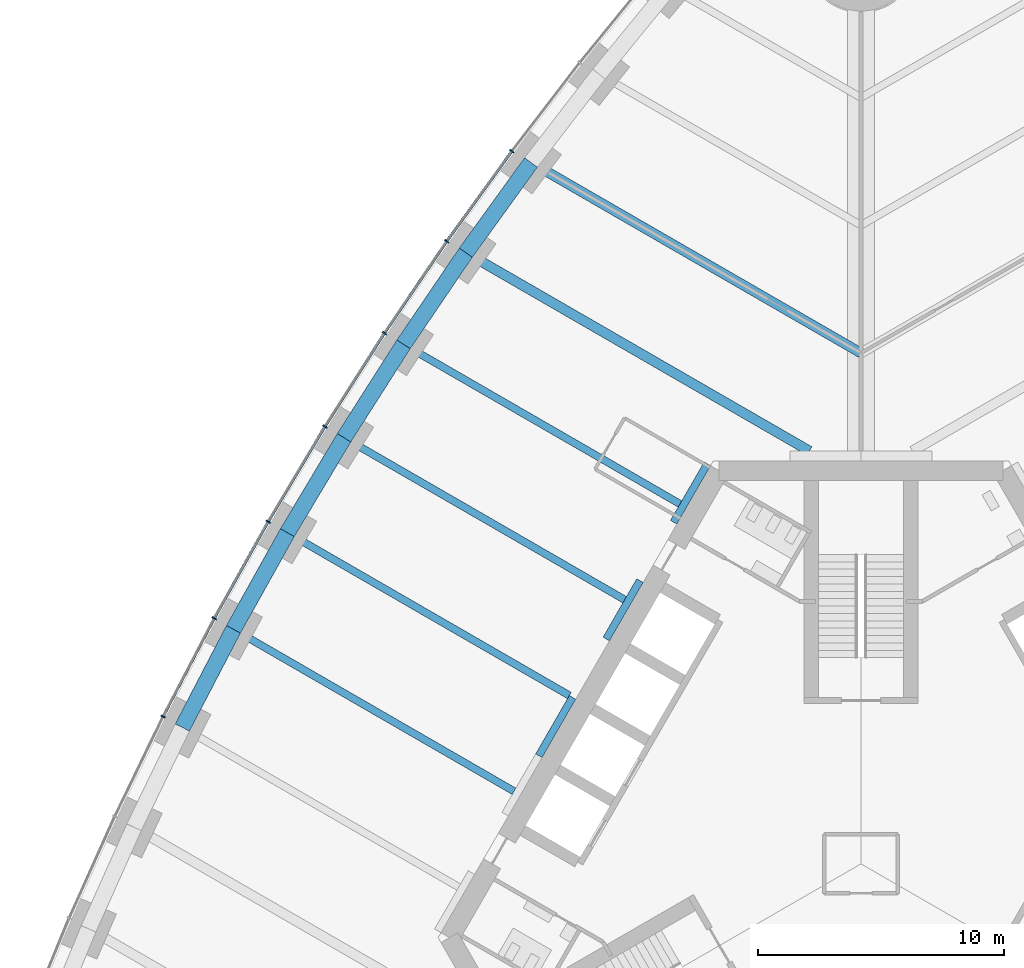
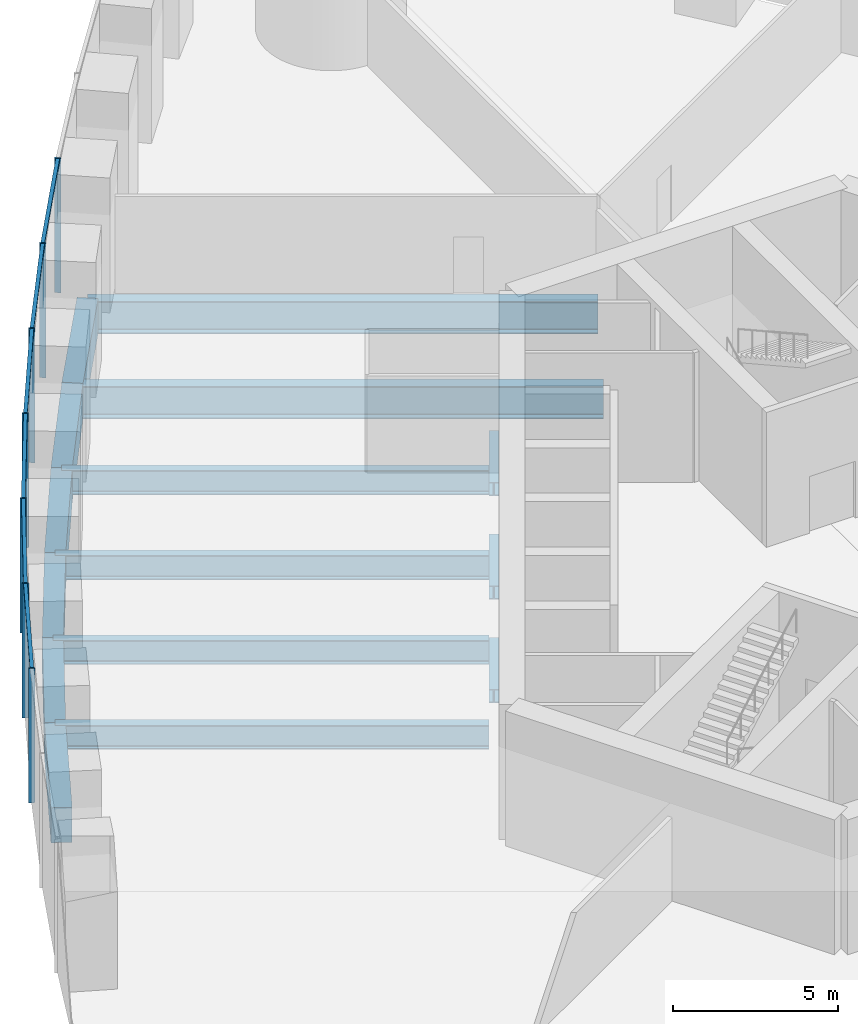
# One storey, part 7 of 21: 15 beams, 13 members, 1 element without a shape of its own.
"""IFC4 building model written with IfcOpenShell, lengths in metres."""

from ifc_helpers import new_model, si_unit, direction, frame, origin, origin_2d, place, context, subcontext, project, spatial, rectangle, i_section, extrude, material, material_profile, profile_set, type_object, element, aggregate, save


model = new_model("IFC4")

# Units and contexts
model_context = context("Model", 3, precision=1e-05, world=origin(), true_north=direction((0.0, 1.0)))
body_context = subcontext(model_context, "Body", "Model", "MODEL_VIEW")
ifc_project = project(units=[si_unit("LENGTHUNIT", "METRE"), si_unit("AREAUNIT", "SQUARE_METRE"), si_unit("VOLUMEUNIT", "CUBIC_METRE"), si_unit("PLANEANGLEUNIT", "RADIAN"), si_unit("MASSUNIT", "GRAM", prefix="KILO")], contexts=[model_context])

# Site, building, storey
site_placement = place(None, origin())
site = spatial("IfcSite", under=ifc_project, at=site_placement, CompositionType="ELEMENT")
building_placement = place(site_placement, origin())
building = spatial("IfcBuilding", under=site, at=building_placement, Name="Trefoil Bronze Tower", CompositionType="ELEMENT")
storey_placement = place(building_placement, frame((0.0, 0.0, 6.5)))
storey = spatial("IfcBuildingStorey", under=building, at=storey_placement, Name="L01", CompositionType="ELEMENT", Elevation=6.5)

# Curtain wall, members
ifc_material_1 = material(Name="Tinted solar-control glass", Category="glass")
curtain_wall_type = type_object("IfcCurtainWallType", Name="Bronze podium storefront curtain wall", PredefinedType="USERDEFINED", material=ifc_material_1)
curtain_wall_placement = place(storey_placement, origin())
curtain_wall = element("IfcCurtainWall", 1, at=curtain_wall_placement, inside=storey, type_object=curtain_wall_type, Name="CW-C L01 F3", ObjectType="CURTAIN WALL", PredefinedType="USERDEFINED")
ifc_material_2 = material(Name="Bronze-finish aluminium", Category="aluminium")
ifc_material_profile_1 = material_profile(ifc_material_2, rectangle(XDim=0.199951171875, YDim=0.06005859375, at=origin_2d()), Name="CW-C mullion")
ifc_profile_set_1 = profile_set([ifc_material_profile_1], Name="Bronze-finish aluminium")
member_type_1 = type_object("IfcMemberType", Name="Bronze podium storefront curtain wall mullion", PredefinedType="MULLION", material=ifc_profile_set_1)
member_1_placement = place(storey_placement, frame((-14.20361328125, 28.99853515625, 0.0), z_axis=(0.0, 0.0, 1.0), x_axis=(0.802126748469, -0.59715381552, 0.0)))
member_1 = element("IfcMember", 2, at=member_1_placement, type_object=member_type_1, Name="CW-C L01 F3 mullion 5", PredefinedType="MULLION", context=body_context, shape_type="SweptSolid", body=[
    extrude(rectangle(XDim=0.199951171875, YDim=0.06005859375, at=origin_2d()), origin(), (0.0, 0.0, 1.0), 4.97998046875),
])
member_2_placement = place(storey_placement, frame((-16.853271484375, 25.32861328125, 0.0), z_axis=(0.0, 0.0, 1.0), x_axis=(0.819204207116, -0.573501932903, 0.0)))
member_2 = element("IfcMember", 3, at=member_2_placement, type_object=member_type_1, Name="CW-C L01 F3 mullion 6", PredefinedType="MULLION", context=body_context, shape_type="SweptSolid", body=[
    extrude(rectangle(XDim=0.199951171875, YDim=0.06005859375, at=origin_2d()), origin(), (0.0, 0.0, 1.0), 4.97998046875),
])
member_3_placement = place(storey_placement, frame((-19.38818359375, 21.5927734375, 0.0), z_axis=(0.0, 0.0, 1.0), x_axis=(0.835543651684, -0.549424067665, 0.0)))
member_3 = element("IfcMember", 4, at=member_3_placement, type_object=member_type_1, Name="CW-C L01 F3 mullion 7", PredefinedType="MULLION", context=body_context, shape_type="SweptSolid", body=[
    extrude(rectangle(XDim=0.199951171875, YDim=0.06005859375, at=origin_2d()), origin(), (0.0, 0.0, 1.0), 4.97998046875),
])
member_4_placement = place(storey_placement, frame((-21.8095703125, 17.791259765625, 0.0), z_axis=(0.0, 0.0, 1.0), x_axis=(0.851149783004, -0.524922896141, 0.0)))
member_4 = element("IfcMember", 5, at=member_4_placement, type_object=member_type_1, Name="CW-C L01 F3 mullion 8", PredefinedType="MULLION", context=body_context, shape_type="SweptSolid", body=[
    extrude(rectangle(XDim=0.199951171875, YDim=0.06005859375, at=origin_2d()), origin(), (0.0, 0.0, 1.0), 4.97998046875),
])
member_5_placement = place(storey_placement, frame((-24.11767578125, 13.92431640625, 0.0), z_axis=(0.0, 0.0, 1.0), x_axis=(0.866025403784, -0.5, 0.0)))
member_5 = element("IfcMember", 6, at=member_5_placement, type_object=member_type_1, Name="CW-C L01 F3 mullion 9", PredefinedType="MULLION", context=body_context, shape_type="SweptSolid", body=[
    extrude(rectangle(XDim=0.199951171875, YDim=0.06005859375, at=origin_2d()), origin(), (0.0, 0.0, 1.0), 4.97998046875),
])
member_6_placement = place(storey_placement, frame((-26.3125, 9.991943359375, 0.0), z_axis=(0.0, 0.0, 1.0), x_axis=(0.880171454588, -0.474655886437, 0.0)))
member_6 = element("IfcMember", 7, at=member_6_placement, type_object=member_type_1, Name="CW-C L01 F3 mullion 10", PredefinedType="MULLION", context=body_context, shape_type="SweptSolid", body=[
    extrude(rectangle(XDim=0.199951171875, YDim=0.06005859375, at=origin_2d()), origin(), (0.0, 0.0, 1.0), 4.97998046875),
])
member_7_placement = place(storey_placement, frame((-28.39404296875, 5.994384765625, 0.0), z_axis=(0.0, 0.0, 1.0), x_axis=(0.893587025891, -0.448889994497, 0.0)))
member_7 = element("IfcMember", 8, at=member_7_placement, type_object=member_type_1, Name="CW-C L01 F3 mullion 11", PredefinedType="MULLION", context=body_context, shape_type="SweptSolid", body=[
    extrude(rectangle(XDim=0.199951171875, YDim=0.06005859375, at=origin_2d()), origin(), (0.0, 0.0, 1.0), 4.97998046875),
])
ifc_material_3 = material(Name="Bronze-finish aluminium", Category="aluminium")
ifc_material_profile_2 = material_profile(ifc_material_3, rectangle(XDim=0.1201171875, YDim=0.10009765625, at=origin_2d()), Name="CW-C transom")
ifc_profile_set_2 = profile_set([ifc_material_profile_2], Name="Bronze-finish aluminium")
member_type_2 = type_object("IfcMemberType", Name="Bronze podium storefront curtain wall transom", PredefinedType="USERDEFINED", material=ifc_profile_set_2)
member_8_placement = place(storey_placement, frame((-14.221923828125, 28.972900390625, 4.929931640625), z_axis=(-0.585390692876, -0.810751340853, 0.0), x_axis=(0.810751340853, -0.585390692876, 0.0)))
member_8 = element("IfcMember", 9, at=member_8_placement, type_object=member_type_2, Name="CW-C L01 F3 transom 5", ObjectType="TRANSOM", PredefinedType="USERDEFINED", context=body_context, shape_type="SweptSolid", body=[
    extrude(rectangle(XDim=0.1201171875, YDim=0.10009765625, at=origin_2d()), origin(), (0.0, 0.0, 1.0), 4.46337890625),
])
member_9_placement = place(storey_placement, frame((-16.870849609375, 25.302734375, 4.929931640625), z_axis=(-0.561502759392, -0.827474864388, 0.0), x_axis=(0.827474864388, -0.561502759392, 0.0)))
member_9 = element("IfcMember", 10, at=member_9_placement, type_object=member_type_2, Name="CW-C L01 F3 transom 6", ObjectType="TRANSOM", PredefinedType="USERDEFINED", context=body_context, shape_type="SweptSolid", body=[
    extrude(rectangle(XDim=0.1201171875, YDim=0.10009765625, at=origin_2d()), origin(), (0.0, 0.0, 1.0), 4.451904296875),
])
member_10_placement = place(storey_placement, frame((-19.4052734375, 21.56640625, 4.929931640625), z_axis=(-0.537198916648, -0.84345558505, 0.0), x_axis=(0.84345558505, -0.537198916648, 0.0)))
member_10 = element("IfcMember", 11, at=member_10_placement, type_object=member_type_2, Name="CW-C L01 F3 transom 7", ObjectType="TRANSOM", PredefinedType="USERDEFINED", context=body_context, shape_type="SweptSolid", body=[
    extrude(rectangle(XDim=0.1201171875, YDim=0.10009765625, at=origin_2d()), origin(), (0.0, 0.0, 1.0), 4.4443359375),
])
member_11_placement = place(storey_placement, frame((-21.82568359375, 17.764404296875, 4.929931640625), z_axis=(-0.512521589617, -0.858674338837, 0.0), x_axis=(0.858674338837, -0.512521589617, 0.0)))
member_11 = element("IfcMember", 12, at=member_11_placement, type_object=member_type_2, Name="CW-C L01 F3 transom 8", ObjectType="TRANSOM", PredefinedType="USERDEFINED", context=body_context, shape_type="SweptSolid", body=[
    extrude(rectangle(XDim=0.1201171875, YDim=0.10009765625, at=origin_2d()), origin(), (0.0, 0.0, 1.0), 4.440673828125),
])
member_12_placement = place(storey_placement, frame((-24.133056640625, 13.89697265625, 4.929931640625), z_axis=(-0.487350560486, -0.873206408127, 0.0), x_axis=(0.873206408127, -0.487350560486, 0.0)))
member_12 = element("IfcMember", 13, at=member_12_placement, type_object=member_type_2, Name="CW-C L01 F3 transom 9", ObjectType="TRANSOM", PredefinedType="USERDEFINED", context=body_context, shape_type="SweptSolid", body=[
    extrude(rectangle(XDim=0.1201171875, YDim=0.10009765625, at=origin_2d()), origin(), (0.0, 0.0, 1.0), 4.4404296875),
])
member_13_placement = place(storey_placement, frame((-26.3271484375, 9.964111328125, 4.929931640625), z_axis=(-0.461831786888, -0.886967530759, 0.0), x_axis=(0.886967530759, -0.461831786888, 0.0)))
member_13 = element("IfcMember", 14, at=member_13_placement, type_object=member_type_2, Name="CW-C L01 F3 transom 10", ObjectType="TRANSOM", PredefinedType="USERDEFINED", context=body_context, shape_type="SweptSolid", body=[
    extrude(rectangle(XDim=0.1201171875, YDim=0.10009765625, at=origin_2d()), origin(), (0.0, 0.0, 1.0), 4.4443359375),
])
aggregate(curtain_wall, [member_1, member_2, member_3, member_4, member_5, member_6, member_7, member_8, member_9, member_10, member_11, member_12, member_13])

# Beams
ifc_material_4 = material(Name="Steel C355", Category="steel")
ifc_material_profile_3 = material_profile(ifc_material_4, i_section(OverallWidth=0.300048828125, OverallDepth=0.5, WebThickness=0.014404296875, FlangeThickness=0.028076171875, FilletRadius=0.027099609375, at=origin_2d()), Name="HEB 500")
ifc_profile_set_3 = profile_set([ifc_material_profile_3], Name="Steel C355")
beam_type_1 = type_object("IfcBeamType", Name="Core seat beam HEB 500", PredefinedType="BEAM", material=ifc_profile_set_3)
for number, where, z_axis, x_axis, name in (
    (15, (-6.249755859375, 16.27490234375, -0.449951171875), (-0.500035825175, -0.866004719122, 0.0), (0.866004719122, -0.500035825175, 0.0), "Core seat beam F3/-2 L01"),
    (16, (-8.9921875, 11.52490234375, -0.449951171875), (-0.500035825175, -0.866004719122, 0.0), (0.866004719122, -0.500035825175, 0.0), "Core seat beam F3/-1 L01"),
    (17, (-11.734619140625, 6.77490234375, -0.449951171875), (-0.500035825175, -0.866004719122, 0.0), (0.866004719122, -0.500035825175, 0.0), "Core seat beam F3/+0 L01"),
):
    element("IfcBeam", number, at=place(storey_placement, frame(where, z_axis=z_axis, x_axis=x_axis)), inside=storey, type_object=beam_type_1, Name=name, PredefinedType="BEAM", context=body_context, shape_type="SweptSolid", body=[
        extrude(i_section(OverallWidth=0.300048828125, OverallDepth=0.5, WebThickness=0.014404296875, FlangeThickness=0.028076171875, FilletRadius=0.027099609375, at=origin_2d()), origin(), (0.0, 0.0, 1.0), 2.742431640625),
    ])
ifc_material_5 = material(Name="Steel C355", Category="steel")
ifc_material_profile_4 = material_profile(ifc_material_5, i_section(OverallWidth=0.300048828125, OverallDepth=0.89990234375, WebThickness=0.0185546875, FlangeThickness=0.034912109375, FilletRadius=0.030029296875, at=origin_2d()), Name="HEB 900")
ifc_profile_set_4 = profile_set([ifc_material_profile_4], Name="Steel C355")
beam_type_2 = type_object("IfcBeamType", Name="Floor beam HEB 900", PredefinedType="BEAM", material=ifc_profile_set_4)
beam_1_placement = place(storey_placement, frame((-18.61083984375, 21.13720703125, -0.64990234375), z_axis=(0.866030615021, -0.499990973765, 0.0), x_axis=(0.499990973765, 0.866030615021, 0.0)))
element("IfcBeam", 18, at=beam_1_placement, inside=storey, type_object=beam_type_2, Name="Floor beam F3/-2 L01", PredefinedType="BEAM", context=body_context, shape_type="SweptSolid", body=[
    extrude(i_section(OverallWidth=0.300048828125, OverallDepth=0.89990234375, WebThickness=0.0185546875, FlangeThickness=0.034912109375, FilletRadius=0.030029296875, at=origin_2d()), origin(), (0.0, 0.0, 1.0), 12.986083984375),
])
beam_2_placement = place(storey_placement, frame((-21.031494140625, 17.338623046875, -0.64990234375), z_axis=(0.866027071639, -0.499997111179, 0.0), x_axis=(0.499997111179, 0.866027071639, 0.0)))
element("IfcBeam", 19, at=beam_2_placement, inside=storey, type_object=beam_type_2, Name="Floor beam F3/-1 L01", PredefinedType="BEAM", context=body_context, shape_type="SweptSolid", body=[
    extrude(i_section(OverallWidth=0.300048828125, OverallDepth=0.89990234375, WebThickness=0.0185546875, FlangeThickness=0.034912109375, FilletRadius=0.030029296875, at=origin_2d()), origin(), (0.0, 0.0, 1.0), 13.18310546875),
])
beam_3_placement = place(storey_placement, frame((-23.33837890625, 13.474365234375, -0.64990234375), z_axis=(0.866031233401, -0.499989902672, 0.0), x_axis=(0.499989902672, 0.866031233401, 0.0)))
element("IfcBeam", 20, at=beam_3_placement, inside=storey, type_object=beam_type_2, Name="Floor beam F3/+0 L01", PredefinedType="BEAM", context=body_context, shape_type="SweptSolid", body=[
    extrude(i_section(OverallWidth=0.300048828125, OverallDepth=0.89990234375, WebThickness=0.0185546875, FlangeThickness=0.034912109375, FilletRadius=0.030029296875, at=origin_2d()), origin(), (0.0, 0.0, 1.0), 13.248779296875),
])
beam_4_placement = place(storey_placement, frame((-25.531494140625, 9.54443359375, -0.64990234375), z_axis=(0.866027071639, -0.499997111179, 0.0), x_axis=(0.499997111179, 0.866027071639, 0.0)))
element("IfcBeam", 21, at=beam_4_placement, inside=storey, type_object=beam_type_2, Name="Floor beam F3/+1 L01", PredefinedType="BEAM", context=body_context, shape_type="SweptSolid", body=[
    extrude(i_section(OverallWidth=0.300048828125, OverallDepth=0.89990234375, WebThickness=0.0185546875, FlangeThickness=0.034912109375, FilletRadius=0.030029296875, at=origin_2d()), origin(), (0.0, 0.0, 1.0), 13.18310546875),
])
ifc_material_6 = material(Name="Steel C355", Category="steel")
ifc_material_profile_5 = material_profile(ifc_material_6, i_section(OverallWidth=0.39990234375, OverallDepth=1.199951171875, WebThickness=0.02001953125, FlangeThickness=0.0400390625, FilletRadius=0.010009765625, at=origin_2d()), Name="WPG 1200")
ifc_profile_set_5 = profile_set([ifc_material_profile_5], Name="Steel C355")
beam_type_3 = type_object("IfcBeamType", Name="Floor beam WPG 1200", PredefinedType="BEAM", material=ifc_profile_set_5)
beam_5_placement = place(storey_placement, frame((-13.42578125, 28.5361328125, -0.800048828125), z_axis=(0.866022989816, -0.500004181093, 0.0), x_axis=(0.500004181093, 0.866022989816, 0.0)))
element("IfcBeam", 22, at=beam_5_placement, inside=storey, type_object=beam_type_3, Name="Floor beam F3/-4 L01", PredefinedType="BEAM", context=body_context, shape_type="SweptSolid", body=[
    extrude(i_section(OverallWidth=0.39990234375, OverallDepth=1.199951171875, WebThickness=0.02001953125, FlangeThickness=0.0400390625, FilletRadius=0.010009765625, at=origin_2d()), origin(), (0.0, 0.0, 1.0), 15.502685546875),
])
beam_6_placement = place(storey_placement, frame((-16.075927734375, 24.869873046875, -0.800048828125), z_axis=(0.866028401131, -0.499994808408, 0.0), x_axis=(0.499994808408, 0.866028401131, 0.0)))
element("IfcBeam", 23, at=beam_6_placement, inside=storey, type_object=beam_type_3, Name="Floor beam F3/-3 L01", PredefinedType="BEAM", context=body_context, shape_type="SweptSolid", body=[
    extrude(i_section(OverallWidth=0.39990234375, OverallDepth=1.199951171875, WebThickness=0.02001953125, FlangeThickness=0.0400390625, FilletRadius=0.010009765625, at=origin_2d()), origin(), (0.0, 0.0, 1.0), 16.139892578125),
])
ifc_material_7 = material(Name="Concrete B80", Category="concrete")
ifc_material_profile_6 = material_profile(ifc_material_7, rectangle(XDim=0.64990234375, YDim=1.300048828125, at=origin_2d()), Name="RC 650x1300")
ifc_profile_set_6 = profile_set([ifc_material_profile_6], Name="Concrete B80")
beam_type_4 = type_object("IfcBeamType", Name="Spandrel beam RC 650x1300", PredefinedType="SPANDREL", material=ifc_profile_set_6)
beam_7_placement = place(storey_placement, frame((-13.42578125, 28.5361328125, -0.85009765625), z_axis=(-0.585823508301, -0.810438657223, 0.0), x_axis=(0.810438657223, -0.585823508301, 0.0)))
element("IfcBeam", 24, at=beam_7_placement, inside=storey, type_object=beam_type_4, Name="Spandrel F3.5 L01", PredefinedType="SPANDREL", context=body_context, shape_type="SweptSolid", body=[
    extrude(rectangle(XDim=0.64990234375, YDim=1.300048828125, at=origin_2d()), origin(), (0.0, 0.0, 1.0), 4.523681640625),
])
beam_8_placement = place(storey_placement, frame((-16.075927734375, 24.869873046875, -0.85009765625), z_axis=(-0.561809680291, -0.827266512758, 0.0), x_axis=(0.827266512758, -0.561809680291, 0.0)))
element("IfcBeam", 25, at=beam_8_placement, inside=storey, type_object=beam_type_4, Name="Spandrel F3.6 L01", PredefinedType="SPANDREL", context=body_context, shape_type="SweptSolid", body=[
    extrude(rectangle(XDim=0.64990234375, YDim=1.300048828125, at=origin_2d()), origin(), (0.0, 0.0, 1.0), 4.511962890625),
])
beam_9_placement = place(storey_placement, frame((-18.61083984375, 21.13720703125, -0.85009765625), z_axis=(-0.537408473305, -0.843322081307, 0.0), x_axis=(0.843322081307, -0.537408473305, 0.0)))
element("IfcBeam", 26, at=beam_9_placement, inside=storey, type_object=beam_type_4, Name="Spandrel F3.7 L01", PredefinedType="SPANDREL", context=body_context, shape_type="SweptSolid", body=[
    extrude(rectangle(XDim=0.64990234375, YDim=1.300048828125, at=origin_2d()), origin(), (0.0, 0.0, 1.0), 4.50439453125),
])
for number, where, z_axis, x_axis, name in (
    (27, (-21.031494140625, 17.338623046875, -0.85009765625), (-0.512587831591, -0.858634797166, 0.0), (0.858634797166, -0.512587831591, 0.0), "Spandrel F3.8 L01"),
    (28, (-23.33837890625, 13.474365234375, -0.85009765625), (-0.487309404804, -0.873229376504, 0.0), (0.873229376504, -0.487309404804, 0.0), "Spandrel F3.9 L01"),
):
    element("IfcBeam", number, at=place(storey_placement, frame(where, z_axis=z_axis, x_axis=x_axis)), inside=storey, type_object=beam_type_4, Name=name, PredefinedType="SPANDREL", context=body_context, shape_type="SweptSolid", body=[
        extrude(rectangle(XDim=0.64990234375, YDim=1.300048828125, at=origin_2d()), origin(), (0.0, 0.0, 1.0), 4.50048828125),
    ])
beam_10_placement = place(storey_placement, frame((-25.531494140625, 9.54443359375, -0.85009765625), z_axis=(-0.461637716615, -0.887068553495, 0.0), x_axis=(0.887068553495, -0.461637716615, 0.0)))
element("IfcBeam", 29, at=beam_10_placement, inside=storey, type_object=beam_type_4, Name="Spandrel F3.10 L01", PredefinedType="SPANDREL", context=body_context, shape_type="SweptSolid", body=[
    extrude(rectangle(XDim=0.64990234375, YDim=1.300048828125, at=origin_2d()), origin(), (0.0, 0.0, 1.0), 4.50439453125),
])

save(model, "model.ifc")
